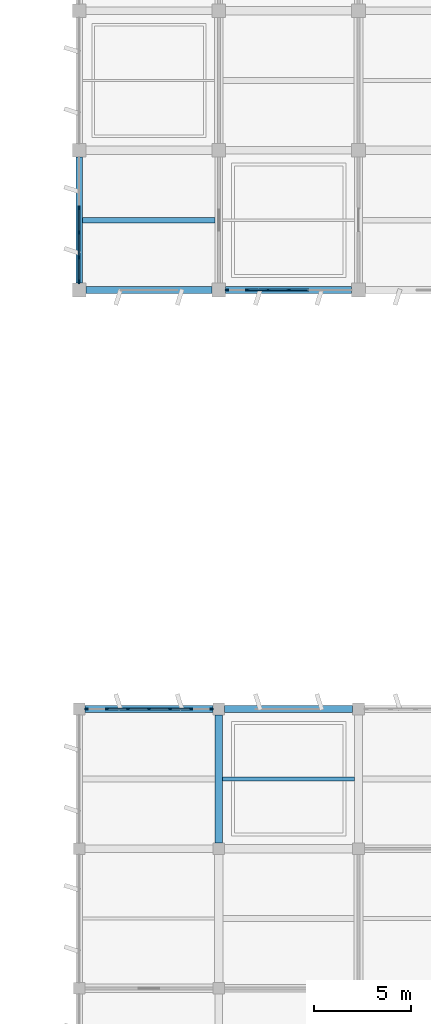
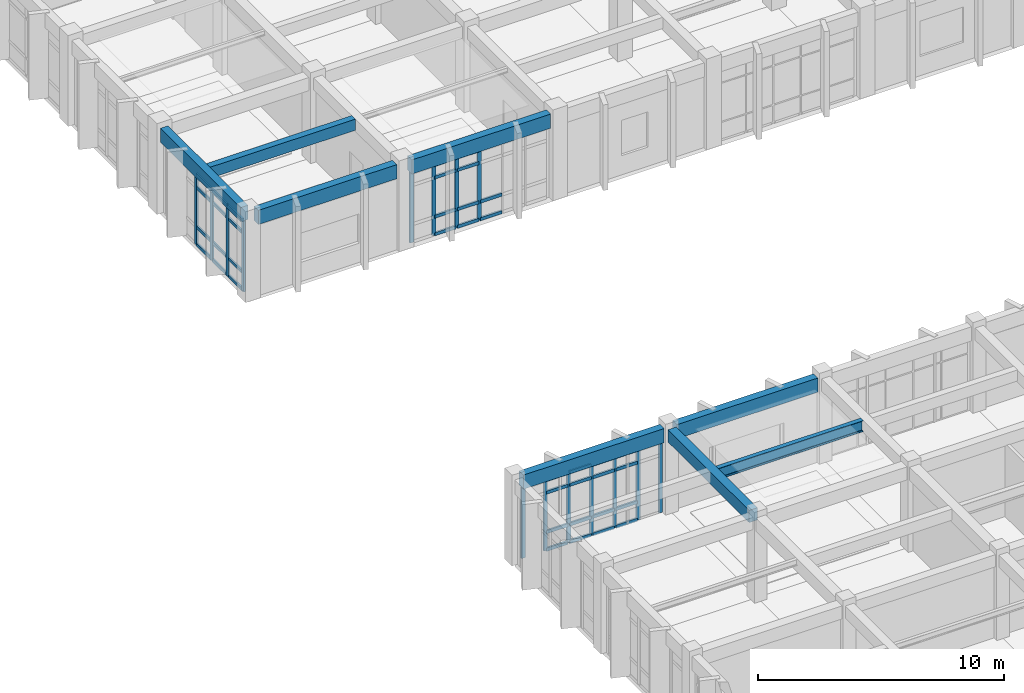
# One storey, part 14 of 81: 54 members, 7 beams, 3 elements without a shape of their own.
"""IFC4 building model written with IfcOpenShell, lengths in metres."""

from ifc_helpers import new_model, si_unit, direction, frame, origin, origin_2d, place, context, subcontext, project, spatial, rectangle, i_section, extrude, material, layer, layer_set, material_profile, profile_set, type_object, element, aggregate, save


model = new_model("IFC4")

# Units and contexts
model_context = context("Model", 3, precision=1e-05, world=origin(), true_north=direction((0.0, 1.0)))
body_context = subcontext(model_context, "Body", "Model", "MODEL_VIEW")
ifc_project = project(units=[si_unit("LENGTHUNIT", "METRE"), si_unit("AREAUNIT", "SQUARE_METRE"), si_unit("VOLUMEUNIT", "CUBIC_METRE"), si_unit("PLANEANGLEUNIT", "RADIAN"), si_unit("MASSUNIT", "GRAM", prefix="KILO")], contexts=[model_context])

# Site, building, storey
site_placement = place(None, origin())
site = spatial("IfcSite", under=ifc_project, at=site_placement, CompositionType="ELEMENT")
building_placement = place(site_placement, origin())
building = spatial("IfcBuilding", under=site, at=building_placement, Name="Kavelor Marine Aquarium", CompositionType="ELEMENT")
storey_placement = place(building_placement, frame((0.0, 0.0, 4.679931640625)))
storey = spatial("IfcBuildingStorey", under=building, at=storey_placement, Name="L01", CompositionType="ELEMENT", Elevation=4.679931640625)

# Beams
ifc_material_1 = material(Name="Concrete C40/50", Category="concrete")
ifc_material_profile_1 = material_profile(ifc_material_1, rectangle(XDim=0.39990234375, YDim=0.60009765625, at=origin_2d()), Name="RC-BM 400x600")
ifc_profile_set_1 = profile_set([ifc_material_profile_1], Name="Concrete C40/50")
beam_type_1 = type_object("IfcBeamType", Name="BM-B4", PredefinedType="BEAM", material=ifc_profile_set_1)
beam_1_placement = place(storey_placement, frame((125.60009765625, 24.699951171875, 3.900146484375), z_axis=(0.0, 1.0, 0.0), x_axis=(-1.0, 0.0, 0.0)))
element("IfcBeam", 1, at=beam_1_placement, inside=storey, type_object=beam_type_1, Name="bm:y:L01:L02:17_03", PredefinedType="BEAM", context=body_context, shape_type="SweptSolid", body=[
    extrude(rectangle(XDim=0.39990234375, YDim=0.60009765625, at=origin_2d()), origin(), (0.0, 0.0, 1.0), 6.60009765625),
])
ifc_material_2 = material(Name="Concrete C40/50", Category="concrete")
ifc_material_profile_2 = material_profile(ifc_material_2, rectangle(XDim=0.300048828125, YDim=0.550048828125, at=origin_2d()), Name="RC-JS 300x550")
ifc_profile_set_2 = profile_set([ifc_material_profile_2], Name="Concrete C40/50")
beam_type_2 = type_object("IfcBeamType", Name="BM-JS2", PredefinedType="JOIST", material=ifc_profile_set_2)
beam_2_placement = place(storey_placement, frame((118.574951171875, 56.800048828125, 3.945068359375), z_axis=(1.0, 0.0, 0.0), x_axis=(0.0, 1.0, 0.0)))
element("IfcBeam", 2, at=beam_2_placement, inside=storey, type_object=beam_type_2, Name="js:L01:L02:16_07", PredefinedType="JOIST", context=body_context, shape_type="SweptSolid", body=[
    extrude(rectangle(XDim=0.300048828125, YDim=0.550048828125, at=origin_2d()), origin(), (0.0, 0.0, 1.0), 6.824951171875),
])
ifc_material_3 = material(Name="Concrete C40/50", Category="concrete")
ifc_material_profile_3 = material_profile(ifc_material_3, rectangle(XDim=0.35009765625, YDim=0.699951171875, at=origin_2d()), Name="RC-SP 350x700")
ifc_profile_set_3 = profile_set([ifc_material_profile_3], Name="Concrete C40/50")
beam_type_3 = type_object("IfcBeamType", Name="BM-SP1", PredefinedType="SPANDREL", material=ifc_profile_set_3)
beam_3_placement = place(storey_placement, frame((118.699951171875, 31.60009765625, 3.8701171875), z_axis=(1.0, 0.0, 0.0), x_axis=(0.0, 1.0, 0.0)))
element("IfcBeam", 3, at=beam_3_placement, inside=storey, type_object=beam_type_3, Name="bm:x:L01:L02:16_04", PredefinedType="SPANDREL", context=body_context, shape_type="SweptSolid", body=[
    extrude(rectangle(XDim=0.35009765625, YDim=0.699951171875, at=origin_2d()), origin(), (0.0, 0.0, 1.0), 6.60009765625),
])
beam_4_placement = place(storey_placement, frame((118.75, 53.199951171875, 3.8701171875), z_axis=(1.0, 0.0, 0.0), x_axis=(0.0, 1.0, 0.0)))
element("IfcBeam", 4, at=beam_4_placement, inside=storey, type_object=beam_type_3, Name="bm:x:L01:L02:16_07", PredefinedType="SPANDREL", context=body_context, shape_type="SweptSolid", body=[
    extrude(rectangle(XDim=0.35009765625, YDim=0.699951171875, at=origin_2d()), origin(), (0.0, 0.0, 1.0), 6.5),
])
beam_5_placement = place(storey_placement, frame((125.89990234375, 31.60009765625, 3.85009765625), z_axis=(1.0, 0.0, 0.0), x_axis=(0.0, 1.0, 0.0)))
element("IfcBeam", 5, at=beam_5_placement, inside=storey, type_object=beam_type_3, Name="bm:x:L01:L02:17_04", PredefinedType="SPANDREL", context=body_context, shape_type="SweptSolid", body=[
    extrude(rectangle(XDim=0.35009765625, YDim=0.699951171875, at=origin_2d()), origin(), (0.0, 0.0, 1.0), 6.60009765625),
])
for number, where, z_axis, x_axis, name in (
    (6, (125.949951171875, 53.199951171875, 3.85009765625), (1.0, 0.0, 0.0), (0.0, 1.0, 0.0), "bm:x:L01:L02:17_07"),
    (7, (118.39990234375, 53.550048828125, 3.8701171875), (0.0, 1.0, 0.0), (-1.0, 0.0, 0.0), "bm:y:L01:L02:16_07"),
):
    element("IfcBeam", number, at=place(storey_placement, frame(where, z_axis=z_axis, x_axis=x_axis)), inside=storey, type_object=beam_type_3, Name=name, PredefinedType="SPANDREL", context=body_context, shape_type="SweptSolid", body=[
        extrude(rectangle(XDim=0.35009765625, YDim=0.699951171875, at=origin_2d()), origin(), (0.0, 0.0, 1.0), 6.5),
    ])

# Curtain wall, members
ifc_material_4 = material(Name="Thermally Broken Aluminium and Low-E Glass", Category="aluminium")
ifc_layer_1 = layer(ifc_material_4, 0.172119140625)
ifc_layer_set_1 = layer_set([ifc_layer_1], Name="CW-SYS4")
curtain_wall_type_1 = type_object("IfcCurtainWallType", Name="CW-SYS4", PredefinedType="USERDEFINED", material=ifc_layer_set_1)
curtain_wall_1_placement = place(storey_placement, origin())
curtain_wall_1 = element("IfcCurtainWall", 8, at=curtain_wall_1_placement, inside=storey, type_object=curtain_wall_type_1, Name="cw:x:L01:16_04", ObjectType="Curtain Wall", PredefinedType="USERDEFINED")
ifc_material_5 = material(Name="Anodised Aluminium Alloy 6063-T6", Category="aluminium")
ifc_material_profile_4 = material_profile(ifc_material_5, rectangle(XDim=0.074951171875, YDim=0.179931640625, at=origin_2d()), Name="CW-MUL 75x180")
ifc_profile_set_4 = profile_set([ifc_material_profile_4], Name="Anodised Aluminium Alloy 6063-T6")
member_type_1 = type_object("IfcMemberType", Name="CWM-1", PredefinedType="MULLION", material=ifc_profile_set_4)
member_1_placement = place(storey_placement, frame((118.782470703125, 31.60009765625, 0.0), z_axis=(0.0, 0.0, 1.0), x_axis=(0.0, 1.0, 0.0)))
member_1 = element("IfcMember", 9, at=member_1_placement, type_object=member_type_1, Name="CW04 mullion 1", PredefinedType="MULLION", context=body_context, shape_type="SweptSolid", body=[
    extrude(rectangle(XDim=0.074951171875, YDim=0.179931640625, at=origin_2d()), origin(), (0.0, 0.0, 1.0), 3.510009765625),
])
member_2_placement = place(storey_placement, frame((119.830078125, 31.60009765625, 0.0), z_axis=(0.0, 0.0, 1.0), x_axis=(0.0, 1.0, 0.0)))
member_2 = element("IfcMember", 10, at=member_2_placement, type_object=member_type_1, Name="CW04 mullion 2", PredefinedType="MULLION", context=body_context, shape_type="SweptSolid", body=[
    extrude(rectangle(XDim=0.074951171875, YDim=0.179931640625, at=origin_2d()), origin(), (0.0, 0.0, 1.0), 3.510009765625),
])
member_3_placement = place(storey_placement, frame((120.9150390625, 31.60009765625, 0.0), z_axis=(0.0, 0.0, 1.0), x_axis=(0.0, 1.0, 0.0)))
member_3 = element("IfcMember", 11, at=member_3_placement, type_object=member_type_1, Name="CW04 mullion 3", PredefinedType="MULLION", context=body_context, shape_type="SweptSolid", body=[
    extrude(rectangle(XDim=0.074951171875, YDim=0.179931640625, at=origin_2d()), origin(), (0.0, 0.0, 1.0), 3.510009765625),
])
member_4_placement = place(storey_placement, frame((122.0, 31.60009765625, 0.0), z_axis=(0.0, 0.0, 1.0), x_axis=(0.0, 1.0, 0.0)))
member_4 = element("IfcMember", 12, at=member_4_placement, type_object=member_type_1, Name="CW04 mullion 4", PredefinedType="MULLION", context=body_context, shape_type="SweptSolid", body=[
    extrude(rectangle(XDim=0.074951171875, YDim=0.179931640625, at=origin_2d()), origin(), (0.0, 0.0, 1.0), 3.510009765625),
])
member_5_placement = place(storey_placement, frame((123.0849609375, 31.60009765625, 0.0), z_axis=(0.0, 0.0, 1.0), x_axis=(0.0, 1.0, 0.0)))
member_5 = element("IfcMember", 13, at=member_5_placement, type_object=member_type_1, Name="CW04 mullion 5", PredefinedType="MULLION", context=body_context, shape_type="SweptSolid", body=[
    extrude(rectangle(XDim=0.074951171875, YDim=0.179931640625, at=origin_2d()), origin(), (0.0, 0.0, 1.0), 3.510009765625),
])
member_6_placement = place(storey_placement, frame((124.169921875, 31.60009765625, 0.0), z_axis=(0.0, 0.0, 1.0), x_axis=(0.0, 1.0, 0.0)))
member_6 = element("IfcMember", 14, at=member_6_placement, type_object=member_type_1, Name="CW04 mullion 6", PredefinedType="MULLION", context=body_context, shape_type="SweptSolid", body=[
    extrude(rectangle(XDim=0.074951171875, YDim=0.179931640625, at=origin_2d()), origin(), (0.0, 0.0, 1.0), 3.510009765625),
])
member_7_placement = place(storey_placement, frame((125.217529296875, 31.60009765625, 0.0), z_axis=(0.0, 0.0, 1.0), x_axis=(0.0, 1.0, 0.0)))
member_7 = element("IfcMember", 15, at=member_7_placement, type_object=member_type_1, Name="CW04 mullion 7", PredefinedType="MULLION", context=body_context, shape_type="SweptSolid", body=[
    extrude(rectangle(XDim=0.074951171875, YDim=0.179931640625, at=origin_2d()), origin(), (0.0, 0.0, 1.0), 3.510009765625),
])

ifc_material_6 = material(Name="Thermally Broken Aluminium and Low-E Glass", Category="aluminium")
ifc_layer_2 = layer(ifc_material_6, 0.179931640625)
ifc_layer_set_2 = layer_set([ifc_layer_2], Name="CW-SYS5")
curtain_wall_type_2 = type_object("IfcCurtainWallType", Name="CW-SYS5", PredefinedType="USERDEFINED", material=ifc_layer_set_2)
curtain_wall_2_placement = place(storey_placement, origin())
curtain_wall_2 = element("IfcCurtainWall", 16, at=curtain_wall_2_placement, inside=storey, type_object=curtain_wall_type_2, Name="cw:x:L01:17_07", ObjectType="Curtain Wall", PredefinedType="USERDEFINED")
ifc_material_7 = material(Name="Anodised Aluminium Alloy 6063-T6", Category="aluminium")
ifc_material_profile_5 = material_profile(ifc_material_7, rectangle(XDim=0.080078125, YDim=0.18505859375, at=origin_2d()), Name="CW-MUL 80x185")
ifc_profile_set_5 = profile_set([ifc_material_profile_5], Name="Anodised Aluminium Alloy 6063-T6")
member_type_2 = type_object("IfcMemberType", Name="CWM-2", PredefinedType="MULLION", material=ifc_profile_set_5)
member_8_placement = place(storey_placement, frame((129.199951171875, 53.199951171875, 0.0), z_axis=(0.0, 0.0, 1.0), x_axis=(0.0, -1.0, 0.0)))
member_8 = element("IfcMember", 17, at=member_8_placement, type_object=member_type_2, Name="CW05 mullion 4", PredefinedType="MULLION", context=body_context, shape_type="SweptSolid", body=[
    extrude(rectangle(XDim=0.080078125, YDim=0.18505859375, at=origin_2d()), origin(), (0.0, 0.0, 1.0), 3.489990234375),
])
member_9_placement = place(storey_placement, frame((128.131591796875, 53.199951171875, 0.0), z_axis=(0.0, 0.0, 1.0), x_axis=(0.0, -1.0, 0.0)))
member_9 = element("IfcMember", 18, at=member_9_placement, type_object=member_type_2, Name="CW05 mullion 5", PredefinedType="MULLION", context=body_context, shape_type="SweptSolid", body=[
    extrude(rectangle(XDim=0.080078125, YDim=0.18505859375, at=origin_2d()), origin(), (0.0, 0.0, 1.0), 3.489990234375),
])
member_10_placement = place(storey_placement, frame((127.063232421875, 53.199951171875, 0.0), z_axis=(0.0, 0.0, 1.0), x_axis=(0.0, -1.0, 0.0)))
member_10 = element("IfcMember", 19, at=member_10_placement, type_object=member_type_2, Name="CW05 mullion 6", PredefinedType="MULLION", context=body_context, shape_type="SweptSolid", body=[
    extrude(rectangle(XDim=0.080078125, YDim=0.18505859375, at=origin_2d()), origin(), (0.0, 0.0, 1.0), 3.489990234375),
])
member_11_placement = place(storey_placement, frame((126.027587890625, 53.199951171875, 0.0), z_axis=(0.0, 0.0, 1.0), x_axis=(0.0, -1.0, 0.0)))
member_11 = element("IfcMember", 20, at=member_11_placement, type_object=member_type_2, Name="CW05 mullion 7", PredefinedType="MULLION", context=body_context, shape_type="SweptSolid", body=[
    extrude(rectangle(XDim=0.080078125, YDim=0.18505859375, at=origin_2d()), origin(), (0.0, 0.0, 1.0), 3.489990234375),
])

ifc_material_8 = material(Name="Thermally Broken Aluminium and Low-E Glass", Category="aluminium")
ifc_layer_3 = layer(ifc_material_8, 0.2041015625)
ifc_layer_set_3 = layer_set([ifc_layer_3], Name="CW-SYS8")
curtain_wall_type_3 = type_object("IfcCurtainWallType", Name="CW-SYS8", PredefinedType="USERDEFINED", material=ifc_layer_set_3)
curtain_wall_3_placement = place(storey_placement, origin())
curtain_wall_3 = element("IfcCurtainWall", 21, at=curtain_wall_3_placement, inside=storey, type_object=curtain_wall_type_3, Name="cw:y:L01:16_07", ObjectType="Curtain Wall", PredefinedType="USERDEFINED")
member_12_placement = place(storey_placement, frame((118.39990234375, 57.44091796875, 0.0), z_axis=(0.0, 0.0, 1.0), x_axis=(1.0, 0.0, 0.0)))
member_12 = element("IfcMember", 22, at=member_12_placement, type_object=member_type_2, Name="CW08 mullion 3", PredefinedType="MULLION", context=body_context, shape_type="SweptSolid", body=[
    extrude(rectangle(XDim=0.080078125, YDim=0.18505859375, at=origin_2d()), origin(), (0.0, 0.0, 1.0), 3.510009765625),
])
member_13_placement = place(storey_placement, frame((118.39990234375, 56.158935546875, 0.0), z_axis=(0.0, 0.0, 1.0), x_axis=(1.0, 0.0, 0.0)))
member_13 = element("IfcMember", 23, at=member_13_placement, type_object=member_type_2, Name="CW08 mullion 4", PredefinedType="MULLION", context=body_context, shape_type="SweptSolid", body=[
    extrude(rectangle(XDim=0.080078125, YDim=0.18505859375, at=origin_2d()), origin(), (0.0, 0.0, 1.0), 3.510009765625),
])
member_14_placement = place(storey_placement, frame((118.39990234375, 54.876953125, 0.0), z_axis=(0.0, 0.0, 1.0), x_axis=(1.0, 0.0, 0.0)))
member_14 = element("IfcMember", 24, at=member_14_placement, type_object=member_type_2, Name="CW08 mullion 5", PredefinedType="MULLION", context=body_context, shape_type="SweptSolid", body=[
    extrude(rectangle(XDim=0.080078125, YDim=0.18505859375, at=origin_2d()), origin(), (0.0, 0.0, 1.0), 3.510009765625),
])
member_15_placement = place(storey_placement, frame((118.39990234375, 53.62744140625, 0.0), z_axis=(0.0, 0.0, 1.0), x_axis=(1.0, 0.0, 0.0)))
member_15 = element("IfcMember", 25, at=member_15_placement, type_object=member_type_2, Name="CW08 mullion 6", PredefinedType="MULLION", context=body_context, shape_type="SweptSolid", body=[
    extrude(rectangle(XDim=0.080078125, YDim=0.18505859375, at=origin_2d()), origin(), (0.0, 0.0, 1.0), 3.510009765625),
])
ifc_material_9 = material(Name="Anodised Aluminium Alloy 6063-T6", Category="aluminium")
ifc_material_profile_6 = material_profile(ifc_material_9, rectangle(XDim=0.080078125, YDim=0.155029296875, at=origin_2d()), Name="CW-TRN 80x155")
ifc_profile_set_6 = profile_set([ifc_material_profile_6], Name="Anodised Aluminium Alloy 6063-T6")
member_type_3 = type_object("IfcMemberType", Name="CWT-2", PredefinedType="USERDEFINED", material=ifc_profile_set_6)
member_16_placement = place(storey_placement, frame((118.39990234375, 57.408447265625, 0.032470703125), z_axis=(0.0, -1.0, 0.0), x_axis=(1.0, 0.0, 0.0)))
member_16 = element("IfcMember", 26, at=member_16_placement, type_object=member_type_3, Name="CW08 transom 3.1", ObjectType="TRANSOM", PredefinedType="USERDEFINED", context=body_context, shape_type="SweptSolid", body=[
    extrude(rectangle(XDim=0.080078125, YDim=0.155029296875, at=origin_2d()), origin(), (0.0, 0.0, 1.0), 1.217041015625),
])
member_17_placement = place(storey_placement, frame((118.39990234375, 57.408447265625, 0.900146484375), z_axis=(0.0, -1.0, 0.0), x_axis=(1.0, 0.0, 0.0)))
member_17 = element("IfcMember", 27, at=member_17_placement, type_object=member_type_3, Name="CW08 transom 3.2", ObjectType="TRANSOM", PredefinedType="USERDEFINED", context=body_context, shape_type="SweptSolid", body=[
    extrude(rectangle(XDim=0.080078125, YDim=0.155029296875, at=origin_2d()), origin(), (0.0, 0.0, 1.0), 1.217041015625),
])
member_18_placement = place(storey_placement, frame((118.39990234375, 57.408447265625, 2.860107421875), z_axis=(0.0, -1.0, 0.0), x_axis=(1.0, 0.0, 0.0)))
member_18 = element("IfcMember", 28, at=member_18_placement, type_object=member_type_3, Name="CW08 transom 3.3", ObjectType="TRANSOM", PredefinedType="USERDEFINED", context=body_context, shape_type="SweptSolid", body=[
    extrude(rectangle(XDim=0.080078125, YDim=0.155029296875, at=origin_2d()), origin(), (0.0, 0.0, 1.0), 1.217041015625),
])
member_19_placement = place(storey_placement, frame((118.39990234375, 57.408447265625, 3.4775390625), z_axis=(0.0, -1.0, 0.0), x_axis=(1.0, 0.0, 0.0)))
member_19 = element("IfcMember", 29, at=member_19_placement, type_object=member_type_3, Name="CW08 transom 3.4", ObjectType="TRANSOM", PredefinedType="USERDEFINED", context=body_context, shape_type="SweptSolid", body=[
    extrude(rectangle(XDim=0.080078125, YDim=0.155029296875, at=origin_2d()), origin(), (0.0, 0.0, 1.0), 1.217041015625),
])
member_20_placement = place(storey_placement, frame((118.39990234375, 56.12646484375, 0.032470703125), z_axis=(0.0, -1.0, 0.0), x_axis=(1.0, 0.0, 0.0)))
member_20 = element("IfcMember", 30, at=member_20_placement, type_object=member_type_3, Name="CW08 transom 4.1", ObjectType="TRANSOM", PredefinedType="USERDEFINED", context=body_context, shape_type="SweptSolid", body=[
    extrude(rectangle(XDim=0.080078125, YDim=0.155029296875, at=origin_2d()), origin(), (0.0, 0.0, 1.0), 1.217041015625),
])
member_21_placement = place(storey_placement, frame((118.39990234375, 56.12646484375, 0.900146484375), z_axis=(0.0, -1.0, 0.0), x_axis=(1.0, 0.0, 0.0)))
member_21 = element("IfcMember", 31, at=member_21_placement, type_object=member_type_3, Name="CW08 transom 4.2", ObjectType="TRANSOM", PredefinedType="USERDEFINED", context=body_context, shape_type="SweptSolid", body=[
    extrude(rectangle(XDim=0.080078125, YDim=0.155029296875, at=origin_2d()), origin(), (0.0, 0.0, 1.0), 1.217041015625),
])
member_22_placement = place(storey_placement, frame((118.39990234375, 56.12646484375, 2.860107421875), z_axis=(0.0, -1.0, 0.0), x_axis=(1.0, 0.0, 0.0)))
member_22 = element("IfcMember", 32, at=member_22_placement, type_object=member_type_3, Name="CW08 transom 4.3", ObjectType="TRANSOM", PredefinedType="USERDEFINED", context=body_context, shape_type="SweptSolid", body=[
    extrude(rectangle(XDim=0.080078125, YDim=0.155029296875, at=origin_2d()), origin(), (0.0, 0.0, 1.0), 1.217041015625),
])
member_23_placement = place(storey_placement, frame((118.39990234375, 56.12646484375, 3.4775390625), z_axis=(0.0, -1.0, 0.0), x_axis=(1.0, 0.0, 0.0)))
member_23 = element("IfcMember", 33, at=member_23_placement, type_object=member_type_3, Name="CW08 transom 4.4", ObjectType="TRANSOM", PredefinedType="USERDEFINED", context=body_context, shape_type="SweptSolid", body=[
    extrude(rectangle(XDim=0.080078125, YDim=0.155029296875, at=origin_2d()), origin(), (0.0, 0.0, 1.0), 1.217041015625),
])
member_24_placement = place(storey_placement, frame((118.39990234375, 54.844482421875, 0.032470703125), z_axis=(0.0, -1.0, 0.0), x_axis=(1.0, 0.0, 0.0)))
member_24 = element("IfcMember", 34, at=member_24_placement, type_object=member_type_3, Name="CW08 transom 5.1", ObjectType="TRANSOM", PredefinedType="USERDEFINED", context=body_context, shape_type="SweptSolid", body=[
    extrude(rectangle(XDim=0.080078125, YDim=0.155029296875, at=origin_2d()), origin(), (0.0, 0.0, 1.0), 1.1845703125),
])
member_25_placement = place(storey_placement, frame((118.39990234375, 54.844482421875, 0.900146484375), z_axis=(0.0, -1.0, 0.0), x_axis=(1.0, 0.0, 0.0)))
member_25 = element("IfcMember", 35, at=member_25_placement, type_object=member_type_3, Name="CW08 transom 5.2", ObjectType="TRANSOM", PredefinedType="USERDEFINED", context=body_context, shape_type="SweptSolid", body=[
    extrude(rectangle(XDim=0.080078125, YDim=0.155029296875, at=origin_2d()), origin(), (0.0, 0.0, 1.0), 1.1845703125),
])
member_26_placement = place(storey_placement, frame((118.39990234375, 54.844482421875, 2.860107421875), z_axis=(0.0, -1.0, 0.0), x_axis=(1.0, 0.0, 0.0)))
member_26 = element("IfcMember", 36, at=member_26_placement, type_object=member_type_3, Name="CW08 transom 5.3", ObjectType="TRANSOM", PredefinedType="USERDEFINED", context=body_context, shape_type="SweptSolid", body=[
    extrude(rectangle(XDim=0.080078125, YDim=0.155029296875, at=origin_2d()), origin(), (0.0, 0.0, 1.0), 1.1845703125),
])
member_27_placement = place(storey_placement, frame((118.39990234375, 54.844482421875, 3.4775390625), z_axis=(0.0, -1.0, 0.0), x_axis=(1.0, 0.0, 0.0)))
member_27 = element("IfcMember", 37, at=member_27_placement, type_object=member_type_3, Name="CW08 transom 5.4", ObjectType="TRANSOM", PredefinedType="USERDEFINED", context=body_context, shape_type="SweptSolid", body=[
    extrude(rectangle(XDim=0.080078125, YDim=0.155029296875, at=origin_2d()), origin(), (0.0, 0.0, 1.0), 1.1845703125),
])
aggregate(curtain_wall_3, [member_12, member_13, member_14, member_15, member_16, member_17, member_18, member_19, member_20, member_21, member_22, member_23, member_24, member_25, member_26, member_27])

# Member
ifc_material_10 = material(Name="Anodised Aluminium Alloy 6063-T6", Category="aluminium")
ifc_material_profile_7 = material_profile(ifc_material_10, rectangle(XDim=0.0849609375, YDim=0.159912109375, at=origin_2d()), Name="CW-TRN 85x160")
ifc_profile_set_7 = profile_set([ifc_material_profile_7], Name="Anodised Aluminium Alloy 6063-T6")
member_type_4 = type_object("IfcMemberType", Name="CWT-3", PredefinedType="USERDEFINED", material=ifc_profile_set_7)
member_28_placement = place(storey_placement, frame((119.867431640625, 31.60009765625, 0.030029296875), z_axis=(1.0, 0.0, 0.0), x_axis=(0.0, 1.0, 0.0)))
member_28 = element("IfcMember", 38, at=member_28_placement, type_object=member_type_4, Name="CW04 transom 2.1", ObjectType="TRANSOM", PredefinedType="USERDEFINED", context=body_context, shape_type="SweptSolid", body=[
    extrude(rectangle(XDim=0.0849609375, YDim=0.159912109375, at=origin_2d()), origin(), (0.0, 0.0, 1.0), 1.010009765625),
])

member_29_placement = place(storey_placement, frame((119.867431640625, 31.60009765625, 0.900146484375), z_axis=(1.0, 0.0, 0.0), x_axis=(0.0, 1.0, 0.0)))
member_29 = element("IfcMember", 39, at=member_29_placement, type_object=member_type_4, Name="CW04 transom 2.2", ObjectType="TRANSOM", PredefinedType="USERDEFINED", context=body_context, shape_type="SweptSolid", body=[
    extrude(rectangle(XDim=0.0849609375, YDim=0.159912109375, at=origin_2d()), origin(), (0.0, 0.0, 1.0), 1.010009765625),
])

member_30_placement = place(storey_placement, frame((119.867431640625, 31.60009765625, 2.860107421875), z_axis=(1.0, 0.0, 0.0), x_axis=(0.0, 1.0, 0.0)))
member_30 = element("IfcMember", 40, at=member_30_placement, type_object=member_type_4, Name="CW04 transom 2.3", ObjectType="TRANSOM", PredefinedType="USERDEFINED", context=body_context, shape_type="SweptSolid", body=[
    extrude(rectangle(XDim=0.0849609375, YDim=0.159912109375, at=origin_2d()), origin(), (0.0, 0.0, 1.0), 1.010009765625),
])

member_31_placement = place(storey_placement, frame((119.867431640625, 31.60009765625, 3.47998046875), z_axis=(1.0, 0.0, 0.0), x_axis=(0.0, 1.0, 0.0)))
member_31 = element("IfcMember", 41, at=member_31_placement, type_object=member_type_4, Name="CW04 transom 2.4", ObjectType="TRANSOM", PredefinedType="USERDEFINED", context=body_context, shape_type="SweptSolid", body=[
    extrude(rectangle(XDim=0.0849609375, YDim=0.159912109375, at=origin_2d()), origin(), (0.0, 0.0, 1.0), 1.010009765625),
])

member_32_placement = place(storey_placement, frame((120.952392578125, 31.60009765625, 0.030029296875), z_axis=(1.0, 0.0, 0.0), x_axis=(0.0, 1.0, 0.0)))
member_32 = element("IfcMember", 42, at=member_32_placement, type_object=member_type_4, Name="CW04 transom 3.1", ObjectType="TRANSOM", PredefinedType="USERDEFINED", context=body_context, shape_type="SweptSolid", body=[
    extrude(rectangle(XDim=0.0849609375, YDim=0.159912109375, at=origin_2d()), origin(), (0.0, 0.0, 1.0), 1.010009765625),
])

member_33_placement = place(storey_placement, frame((120.952392578125, 31.60009765625, 0.900146484375), z_axis=(1.0, 0.0, 0.0), x_axis=(0.0, 1.0, 0.0)))
member_33 = element("IfcMember", 43, at=member_33_placement, type_object=member_type_4, Name="CW04 transom 3.2", ObjectType="TRANSOM", PredefinedType="USERDEFINED", context=body_context, shape_type="SweptSolid", body=[
    extrude(rectangle(XDim=0.0849609375, YDim=0.159912109375, at=origin_2d()), origin(), (0.0, 0.0, 1.0), 1.010009765625),
])

member_34_placement = place(storey_placement, frame((120.952392578125, 31.60009765625, 2.860107421875), z_axis=(1.0, 0.0, 0.0), x_axis=(0.0, 1.0, 0.0)))
member_34 = element("IfcMember", 44, at=member_34_placement, type_object=member_type_4, Name="CW04 transom 3.3", ObjectType="TRANSOM", PredefinedType="USERDEFINED", context=body_context, shape_type="SweptSolid", body=[
    extrude(rectangle(XDim=0.0849609375, YDim=0.159912109375, at=origin_2d()), origin(), (0.0, 0.0, 1.0), 1.010009765625),
])

member_35_placement = place(storey_placement, frame((120.952392578125, 31.60009765625, 3.47998046875), z_axis=(1.0, 0.0, 0.0), x_axis=(0.0, 1.0, 0.0)))
member_35 = element("IfcMember", 45, at=member_35_placement, type_object=member_type_4, Name="CW04 transom 3.4", ObjectType="TRANSOM", PredefinedType="USERDEFINED", context=body_context, shape_type="SweptSolid", body=[
    extrude(rectangle(XDim=0.0849609375, YDim=0.159912109375, at=origin_2d()), origin(), (0.0, 0.0, 1.0), 1.010009765625),
])

member_36_placement = place(storey_placement, frame((122.03759765625, 31.60009765625, 0.030029296875), z_axis=(1.0, 0.0, 0.0), x_axis=(0.0, 1.0, 0.0)))
member_36 = element("IfcMember", 46, at=member_36_placement, type_object=member_type_4, Name="CW04 transom 4.1", ObjectType="TRANSOM", PredefinedType="USERDEFINED", context=body_context, shape_type="SweptSolid", body=[
    extrude(rectangle(XDim=0.0849609375, YDim=0.159912109375, at=origin_2d()), origin(), (0.0, 0.0, 1.0), 1.010009765625),
])

member_37_placement = place(storey_placement, frame((122.03759765625, 31.60009765625, 0.900146484375), z_axis=(1.0, 0.0, 0.0), x_axis=(0.0, 1.0, 0.0)))
member_37 = element("IfcMember", 47, at=member_37_placement, type_object=member_type_4, Name="CW04 transom 4.2", ObjectType="TRANSOM", PredefinedType="USERDEFINED", context=body_context, shape_type="SweptSolid", body=[
    extrude(rectangle(XDim=0.0849609375, YDim=0.159912109375, at=origin_2d()), origin(), (0.0, 0.0, 1.0), 1.010009765625),
])

member_38_placement = place(storey_placement, frame((122.03759765625, 31.60009765625, 2.860107421875), z_axis=(1.0, 0.0, 0.0), x_axis=(0.0, 1.0, 0.0)))
member_38 = element("IfcMember", 48, at=member_38_placement, type_object=member_type_4, Name="CW04 transom 4.3", ObjectType="TRANSOM", PredefinedType="USERDEFINED", context=body_context, shape_type="SweptSolid", body=[
    extrude(rectangle(XDim=0.0849609375, YDim=0.159912109375, at=origin_2d()), origin(), (0.0, 0.0, 1.0), 1.010009765625),
])

member_39_placement = place(storey_placement, frame((122.03759765625, 31.60009765625, 3.47998046875), z_axis=(1.0, 0.0, 0.0), x_axis=(0.0, 1.0, 0.0)))
member_39 = element("IfcMember", 49, at=member_39_placement, type_object=member_type_4, Name="CW04 transom 4.4", ObjectType="TRANSOM", PredefinedType="USERDEFINED", context=body_context, shape_type="SweptSolid", body=[
    extrude(rectangle(XDim=0.0849609375, YDim=0.159912109375, at=origin_2d()), origin(), (0.0, 0.0, 1.0), 1.010009765625),
])

member_40_placement = place(storey_placement, frame((123.12255859375, 31.60009765625, 0.030029296875), z_axis=(1.0, 0.0, 0.0), x_axis=(0.0, 1.0, 0.0)))
member_40 = element("IfcMember", 50, at=member_40_placement, type_object=member_type_4, Name="CW04 transom 5.1", ObjectType="TRANSOM", PredefinedType="USERDEFINED", context=body_context, shape_type="SweptSolid", body=[
    extrude(rectangle(XDim=0.0849609375, YDim=0.159912109375, at=origin_2d()), origin(), (0.0, 0.0, 1.0), 1.010009765625),
])

member_41_placement = place(storey_placement, frame((123.12255859375, 31.60009765625, 0.900146484375), z_axis=(1.0, 0.0, 0.0), x_axis=(0.0, 1.0, 0.0)))
member_41 = element("IfcMember", 51, at=member_41_placement, type_object=member_type_4, Name="CW04 transom 5.2", ObjectType="TRANSOM", PredefinedType="USERDEFINED", context=body_context, shape_type="SweptSolid", body=[
    extrude(rectangle(XDim=0.0849609375, YDim=0.159912109375, at=origin_2d()), origin(), (0.0, 0.0, 1.0), 1.010009765625),
])

member_42_placement = place(storey_placement, frame((123.12255859375, 31.60009765625, 2.860107421875), z_axis=(1.0, 0.0, 0.0), x_axis=(0.0, 1.0, 0.0)))
member_42 = element("IfcMember", 52, at=member_42_placement, type_object=member_type_4, Name="CW04 transom 5.3", ObjectType="TRANSOM", PredefinedType="USERDEFINED", context=body_context, shape_type="SweptSolid", body=[
    extrude(rectangle(XDim=0.0849609375, YDim=0.159912109375, at=origin_2d()), origin(), (0.0, 0.0, 1.0), 1.010009765625),
])

member_43_placement = place(storey_placement, frame((123.12255859375, 31.60009765625, 3.47998046875), z_axis=(1.0, 0.0, 0.0), x_axis=(0.0, 1.0, 0.0)))
member_43 = element("IfcMember", 53, at=member_43_placement, type_object=member_type_4, Name="CW04 transom 5.4", ObjectType="TRANSOM", PredefinedType="USERDEFINED", context=body_context, shape_type="SweptSolid", body=[
    extrude(rectangle(XDim=0.0849609375, YDim=0.159912109375, at=origin_2d()), origin(), (0.0, 0.0, 1.0), 1.010009765625),
])

aggregate(curtain_wall_1, [member_1, member_2, member_3, member_4, member_5, member_6, member_7, member_28, member_29, member_30, member_31, member_32, member_33, member_34, member_35, member_36, member_37, member_38, member_39, member_40, member_41, member_42, member_43])

member_44_placement = place(storey_placement, frame((130.23583984375, 53.199951171875, 0.030029296875), z_axis=(-1.0, 0.0, 0.0), x_axis=(0.0, -1.0, 0.0)))
member_44 = element("IfcMember", 54, at=member_44_placement, type_object=member_type_4, Name="CW05 transom 3.1", ObjectType="TRANSOM", PredefinedType="USERDEFINED", context=body_context, shape_type="SweptSolid", body=[
    extrude(rectangle(XDim=0.0849609375, YDim=0.159912109375, at=origin_2d()), origin(), (0.0, 0.0, 1.0), 1.00341796875),
])

member_45_placement = place(storey_placement, frame((130.23583984375, 53.199951171875, 0.900146484375), z_axis=(-1.0, 0.0, 0.0), x_axis=(0.0, -1.0, 0.0)))
member_45 = element("IfcMember", 55, at=member_45_placement, type_object=member_type_4, Name="CW05 transom 3.2", ObjectType="TRANSOM", PredefinedType="USERDEFINED", context=body_context, shape_type="SweptSolid", body=[
    extrude(rectangle(XDim=0.0849609375, YDim=0.159912109375, at=origin_2d()), origin(), (0.0, 0.0, 1.0), 1.00341796875),
])

member_46_placement = place(storey_placement, frame((129.16748046875, 53.199951171875, 0.030029296875), z_axis=(-1.0, 0.0, 0.0), x_axis=(0.0, -1.0, 0.0)))
member_46 = element("IfcMember", 56, at=member_46_placement, type_object=member_type_4, Name="CW05 transom 4.1", ObjectType="TRANSOM", PredefinedType="USERDEFINED", context=body_context, shape_type="SweptSolid", body=[
    extrude(rectangle(XDim=0.0849609375, YDim=0.159912109375, at=origin_2d()), origin(), (0.0, 0.0, 1.0), 1.00341796875),
])

member_47_placement = place(storey_placement, frame((129.16748046875, 53.199951171875, 0.900146484375), z_axis=(-1.0, 0.0, 0.0), x_axis=(0.0, -1.0, 0.0)))
member_47 = element("IfcMember", 57, at=member_47_placement, type_object=member_type_4, Name="CW05 transom 4.2", ObjectType="TRANSOM", PredefinedType="USERDEFINED", context=body_context, shape_type="SweptSolid", body=[
    extrude(rectangle(XDim=0.0849609375, YDim=0.159912109375, at=origin_2d()), origin(), (0.0, 0.0, 1.0), 1.00341796875),
])

member_48_placement = place(storey_placement, frame((129.16748046875, 53.199951171875, 2.840087890625), z_axis=(-1.0, 0.0, 0.0), x_axis=(0.0, -1.0, 0.0)))
member_48 = element("IfcMember", 58, at=member_48_placement, type_object=member_type_4, Name="CW05 transom 4.3", ObjectType="TRANSOM", PredefinedType="USERDEFINED", context=body_context, shape_type="SweptSolid", body=[
    extrude(rectangle(XDim=0.0849609375, YDim=0.159912109375, at=origin_2d()), origin(), (0.0, 0.0, 1.0), 1.00341796875),
])

member_49_placement = place(storey_placement, frame((129.16748046875, 53.199951171875, 3.4599609375), z_axis=(-1.0, 0.0, 0.0), x_axis=(0.0, -1.0, 0.0)))
member_49 = element("IfcMember", 59, at=member_49_placement, type_object=member_type_4, Name="CW05 transom 4.4", ObjectType="TRANSOM", PredefinedType="USERDEFINED", context=body_context, shape_type="SweptSolid", body=[
    extrude(rectangle(XDim=0.0849609375, YDim=0.159912109375, at=origin_2d()), origin(), (0.0, 0.0, 1.0), 1.00341796875),
])

member_50_placement = place(storey_placement, frame((128.09912109375, 53.199951171875, 0.030029296875), z_axis=(-1.0, 0.0, 0.0), x_axis=(0.0, -1.0, 0.0)))
member_50 = element("IfcMember", 60, at=member_50_placement, type_object=member_type_4, Name="CW05 transom 5.1", ObjectType="TRANSOM", PredefinedType="USERDEFINED", context=body_context, shape_type="SweptSolid", body=[
    extrude(rectangle(XDim=0.0849609375, YDim=0.159912109375, at=origin_2d()), origin(), (0.0, 0.0, 1.0), 1.003173828125),
])

member_51_placement = place(storey_placement, frame((128.09912109375, 53.199951171875, 0.900146484375), z_axis=(-1.0, 0.0, 0.0), x_axis=(0.0, -1.0, 0.0)))
member_51 = element("IfcMember", 61, at=member_51_placement, type_object=member_type_4, Name="CW05 transom 5.2", ObjectType="TRANSOM", PredefinedType="USERDEFINED", context=body_context, shape_type="SweptSolid", body=[
    extrude(rectangle(XDim=0.0849609375, YDim=0.159912109375, at=origin_2d()), origin(), (0.0, 0.0, 1.0), 1.003173828125),
])

member_52_placement = place(storey_placement, frame((128.09912109375, 53.199951171875, 2.840087890625), z_axis=(-1.0, 0.0, 0.0), x_axis=(0.0, -1.0, 0.0)))
member_52 = element("IfcMember", 62, at=member_52_placement, type_object=member_type_4, Name="CW05 transom 5.3", ObjectType="TRANSOM", PredefinedType="USERDEFINED", context=body_context, shape_type="SweptSolid", body=[
    extrude(rectangle(XDim=0.0849609375, YDim=0.159912109375, at=origin_2d()), origin(), (0.0, 0.0, 1.0), 1.003173828125),
])

member_53_placement = place(storey_placement, frame((128.09912109375, 53.199951171875, 3.4599609375), z_axis=(-1.0, 0.0, 0.0), x_axis=(0.0, -1.0, 0.0)))
member_53 = element("IfcMember", 63, at=member_53_placement, type_object=member_type_4, Name="CW05 transom 5.4", ObjectType="TRANSOM", PredefinedType="USERDEFINED", context=body_context, shape_type="SweptSolid", body=[
    extrude(rectangle(XDim=0.0849609375, YDim=0.159912109375, at=origin_2d()), origin(), (0.0, 0.0, 1.0), 1.003173828125),
])

aggregate(curtain_wall_2, [member_8, member_9, member_10, member_11, member_44, member_45, member_46, member_47, member_48, member_49, member_50, member_51, member_52, member_53])

ifc_material_11 = material(Name="Steel S355", Category="steel")
ifc_material_profile_8 = material_profile(ifc_material_11, i_section(OverallWidth=0.2099609375, OverallDepth=0.550048828125, WebThickness=0.010986328125, FlangeThickness=0.01708984375, FilletRadius=0.02392578125, at=origin_2d()), Name="IPE 550")
ifc_profile_set_8 = profile_set([ifc_material_profile_8], Name="Steel S355")
member_type_5 = type_object("IfcMemberType", Name="PR-SJ1", PredefinedType="PURLIN", material=ifc_profile_set_8)
member_54_placement = place(storey_placement, frame((125.800048828125, 28.0, 3.925048828125), z_axis=(1.0, 0.0, 0.0), x_axis=(0.0, 1.0, 0.0)))
element("IfcMember", 64, at=member_54_placement, inside=storey, type_object=member_type_5, Name="js:L01:L02:17_03", PredefinedType="PURLIN", context=body_context, shape_type="SweptSolid", body=[
    extrude(i_section(OverallWidth=0.2099609375, OverallDepth=0.550048828125, WebThickness=0.010986328125, FlangeThickness=0.01708984375, FilletRadius=0.02392578125, at=origin_2d()), origin(), (0.0, 0.0, 1.0), 6.800048828125),
])

save(model, "model.ifc")
